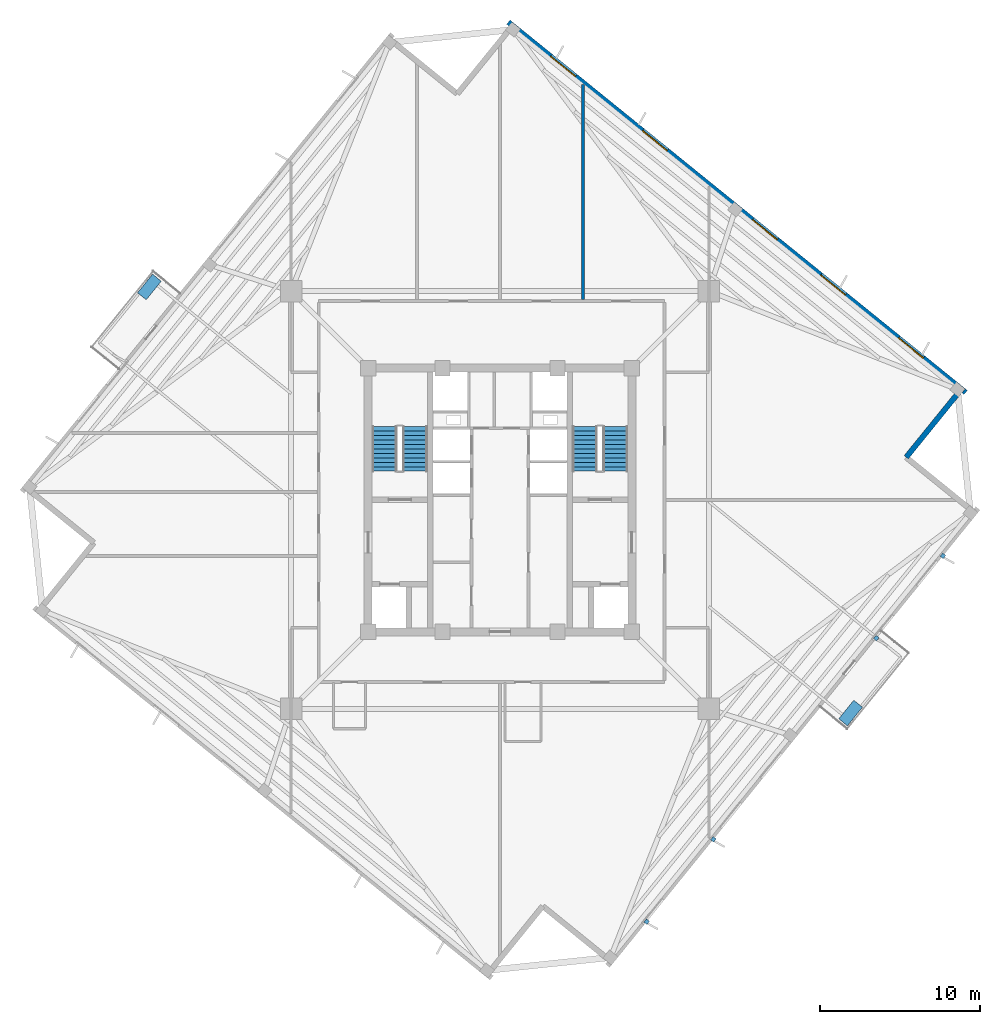
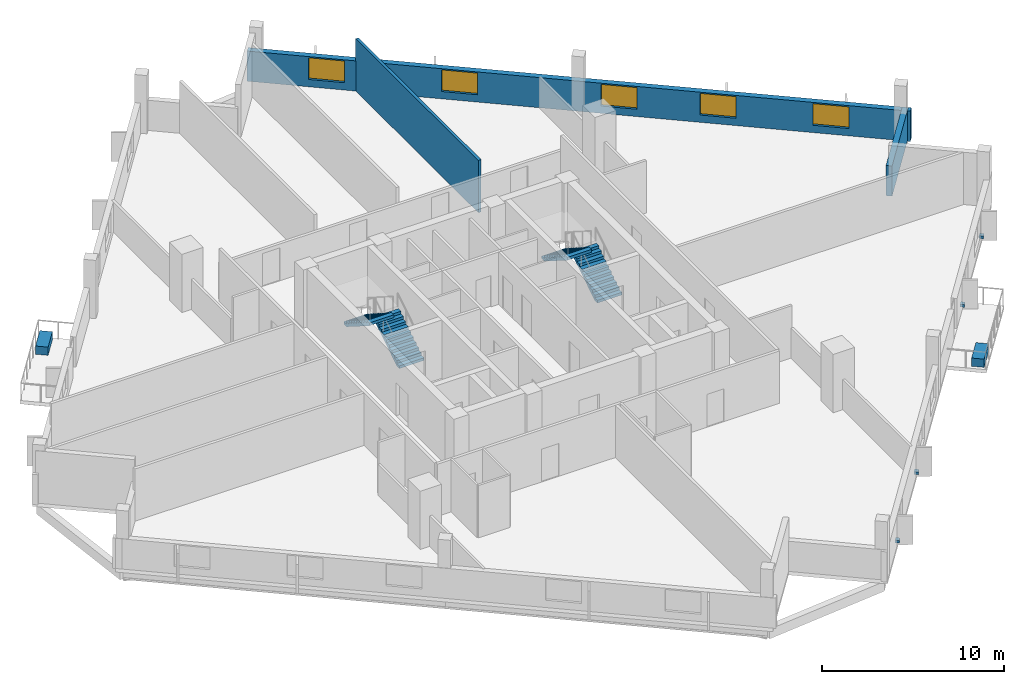
# One storey, part 5 of 9: 6 discrete accessories, 5 windows, 4 stair flights, 3 walls, 5 openings, 2 elements without a shape of their own.
"""IFC4 building model written with IfcOpenShell, lengths in metres."""

from ifc_helpers import new_model, si_unit, direction, frame, frame_2d, origin, origin_2d, place, context, subcontext, project, spatial, polyline, rectangle, outline, extrude, source, transform, mapped, material, layer, layer_set, type_object, element, fill, aggregate, save


model = new_model("IFC4")

# Units and contexts
model_context = context("Model", 3, precision=1e-05, world=origin(), true_north=direction((0.0, 1.0)))
body_context = subcontext(model_context, "Body", "Model", "MODEL_VIEW")
ifc_project = project(units=[si_unit("LENGTHUNIT", "METRE"), si_unit("AREAUNIT", "SQUARE_METRE"), si_unit("VOLUMEUNIT", "CUBIC_METRE"), si_unit("PLANEANGLEUNIT", "RADIAN"), si_unit("MASSUNIT", "GRAM", prefix="KILO"), si_unit("THERMODYNAMICTEMPERATUREUNIT", "KELVIN")], contexts=[model_context])

# Site, building, storey
site_placement = place(None, origin())
site = spatial("IfcSite", under=ifc_project, at=site_placement, CompositionType="ELEMENT")
building_placement = place(site_placement, origin())
building = spatial("IfcBuilding", under=site, at=building_placement, Name="Kosmvard Interchange Tower", CompositionType="ELEMENT")
storey_placement = place(building_placement, frame((0.0, 0.0, 256.300048828125)))
storey = spatial("IfcBuildingStorey", under=building, at=storey_placement, Name="L62", CompositionType="ELEMENT", Elevation=256.300048828125)

# Walls
ifc_material_1 = material(Name="Fire-rated gypsum partition system")
ifc_layer_1 = layer(ifc_material_1, 0.179931640625, Name="Fire-rated gypsum partition system")
ifc_layer_set_1 = layer_set([ifc_layer_1], Name="Fire-rated gypsum partition system")
wall_type_1 = type_object("IfcWallType", Name="Corridor & Hotel Compartment Partition 180", PredefinedType="PARTITIONING", material=ifc_layer_set_1)
wall_1_placement = place(storey_placement, frame((5.199951171875, 12.544921875, 0.0), z_axis=(0.0, 0.0, 1.0), x_axis=(0.0, 1.0, 0.0)))
element("IfcWall", 1, at=wall_1_placement, inside=storey, type_object=wall_type_1, Name="L62 Room Partition 03.1", PredefinedType="PARTITIONING", context=body_context, shape_type="SweptSolid", body=[
    extrude(rectangle(XDim=13.450927734375, YDim=0.179931640625, at=frame_2d((6.7255859375, 0.0))), origin(), (0.0, 0.0, 1.0), 3.5),
])
ifc_material_2 = material(Name="Precast concrete C45/55", Category="concrete")
ifc_layer_2 = layer(ifc_material_2, 0.340087890625, Name="Precast concrete C45/55")
ifc_layer_set_2 = layer_set([ifc_layer_2], Name="Precast concrete C45/55")
wall_type_2 = type_object("IfcWallType", Name="Mid Tower Precast Pier Wall 340 C45/55", PredefinedType="STANDARD", material=ifc_layer_set_2)
wall_2_placement = place(storey_placement, frame((25.428955078125, 2.672607421875, 0.0), z_axis=(0.0, 0.0, 1.0), x_axis=(0.629299794138, 0.777162640055, 0.0)))
element("IfcWall", 2, at=wall_2_placement, inside=storey, type_object=wall_type_2, Name="L62 Precast Facade Wall N-SE2", PredefinedType="STANDARD", context=body_context, shape_type="SweptSolid", body=[
    extrude(rectangle(XDim=5.669921875, YDim=0.340087890625, at=frame_2d((2.8349609375, 0.0))), origin(), (0.0, 0.0, 1.0), 2.02001953125),
])

# Wall, openings, windows
wall_3_placement = place(storey_placement, frame((29.154296875, 6.73291015625, 0.0), z_axis=(0.0, 0.0, 1.0), x_axis=(-0.77714192302, 0.629325378072, 0.0)))
wall_3 = element("IfcWall", 3, at=wall_3_placement, inside=storey, type_object=wall_type_2, Name="L62 Precast Facade Wall F-E", PredefinedType="STANDARD", context=body_context, shape_type="SweptSolid", body=[
    extrude(rectangle(XDim=36.840087890625, YDim=0.340087890625, at=frame_2d((18.419921875, 0.0))), origin(), (0.0, 0.0, 1.0), 2.02001953125),
])
opening_1_placement = place(wall_3_placement, frame((3.4208984375, 0.0, 0.489990234375)))
opening_1 = element("IfcOpeningElement", 4, at=opening_1_placement, cuts=wall_3, Name="Opening L62-W06", PredefinedType="OPENING", context=body_context, shape_type="SweptSolid", body=[
    extrude(rectangle(XDim=2.0, YDim=1.449951171875, at=frame_2d((1.0, 0.72509765625))), frame((0.0, 0.18017578125, 0.0), z_axis=(0.0, -1.0, 0.0), x_axis=(1.0, 0.0, 0.0)), (0.0, 0.0, 1.0), 0.360107421875),
])
opening_2_placement = place(wall_3_placement, frame((9.68359375, 0.0, 0.489990234375)))
opening_2 = element("IfcOpeningElement", 5, at=opening_2_placement, cuts=wall_3, Name="Opening L62-W07", PredefinedType="OPENING", context=body_context, shape_type="SweptSolid", body=[
    extrude(rectangle(XDim=2.0, YDim=1.449951171875, at=frame_2d((1.0, 0.72509765625))), frame((0.0, 0.18017578125, 0.0), z_axis=(0.0, -1.0, 0.0), x_axis=(1.0, 0.0, 0.0)), (0.0, 0.0, 1.0), 0.360107421875),
])
opening_3_placement = place(wall_3_placement, frame((15.18310546875, 0.0, 0.489990234375)))
opening_3 = element("IfcOpeningElement", 6, at=opening_3_placement, cuts=wall_3, Name="Opening L62-W08", PredefinedType="OPENING", context=body_context, shape_type="SweptSolid", body=[
    extrude(rectangle(XDim=2.0, YDim=1.449951171875, at=frame_2d((1.0, 0.72509765625))), frame((0.0, 0.18017578125, 0.0), z_axis=(0.0, -1.0, 0.0), x_axis=(1.0, 0.0, 0.0)), (0.0, 0.0, 1.0), 0.360107421875),
])
opening_4_placement = place(wall_3_placement, frame((24.05126953125, 0.0, 0.489990234375)))
opening_4 = element("IfcOpeningElement", 7, at=opening_4_placement, cuts=wall_3, Name="Opening L62-W09", PredefinedType="OPENING", context=body_context, shape_type="SweptSolid", body=[
    extrude(rectangle(XDim=2.0, YDim=1.449951171875, at=frame_2d((1.0, 0.72509765625))), frame((0.0, 0.18017578125, 0.0), z_axis=(0.0, -1.0, 0.0), x_axis=(1.0, 0.0, 0.0)), (0.0, 0.0, 1.0), 0.360107421875),
])
opening_5_placement = place(wall_3_placement, frame((31.432373046875, 0.0, 0.489990234375)))
opening_5 = element("IfcOpeningElement", 8, at=opening_5_placement, cuts=wall_3, Name="Opening L62-W10", PredefinedType="OPENING", context=body_context, shape_type="SweptSolid", body=[
    extrude(rectangle(XDim=2.0, YDim=1.449951171875, at=frame_2d((1.0, 0.72509765625))), frame((0.0, 0.18017578125, 0.0), z_axis=(0.0, -1.0, 0.0), x_axis=(1.0, 0.0, 0.0)), (0.0, 0.0, 1.0), 0.360107421875),
])
ifc_material_3 = material(Name="Low-E solar-control double glazing", Category="glass")
window_type = type_object("IfcWindowType", Name="Transfer Zone Punched Window 2000x1450", PartitioningType="SINGLE_PANEL", PredefinedType="WINDOW", material=ifc_material_3)
shared_shape_1 = source(origin(), body_context, "Body", "SweptSolid", [
    extrude(rectangle(XDim=2.0, YDim=1.449951171875, at=frame_2d((1.0, 0.72509765625))), frame((0.0, 0.030029296875, 0.0), z_axis=(0.0, -1.0, 0.0), x_axis=(1.0, 0.0, 0.0)), (0.0, 0.0, 1.0), 0.06005859375),
])
window_1_placement = place(opening_1_placement, origin())
window_1 = element("IfcWindow", 9, at=window_1_placement, inside=storey, type_object=window_type, Name="L62 Facade Punched Window 06", OverallHeight=1.449951171875, OverallWidth=2.0, PartitioningType="SINGLE_PANEL", PredefinedType="WINDOW", context=body_context, shape_type="MappedRepresentation", body=[
    mapped(shared_shape_1, transform((0.0, 0.0, 0.0), scale=1.0)),
])
fill(opening_1, window_1)
window_2_placement = place(opening_2_placement, origin())
window_2 = element("IfcWindow", 10, at=window_2_placement, inside=storey, type_object=window_type, Name="L62 Facade Punched Window 07", OverallHeight=1.449951171875, OverallWidth=2.0, PartitioningType="SINGLE_PANEL", PredefinedType="WINDOW", context=body_context, shape_type="MappedRepresentation", body=[
    mapped(shared_shape_1, transform((0.0, 0.0, 0.0), scale=1.0)),
])
fill(opening_2, window_2)
window_3_placement = place(opening_3_placement, origin())
window_3 = element("IfcWindow", 11, at=window_3_placement, inside=storey, type_object=window_type, Name="L62 Facade Punched Window 08", OverallHeight=1.449951171875, OverallWidth=2.0, PartitioningType="SINGLE_PANEL", PredefinedType="WINDOW", context=body_context, shape_type="MappedRepresentation", body=[
    mapped(shared_shape_1, transform((0.0, 0.0, 0.0), scale=1.0)),
])
fill(opening_3, window_3)
window_4_placement = place(opening_4_placement, origin())
window_4 = element("IfcWindow", 12, at=window_4_placement, inside=storey, type_object=window_type, Name="L62 Facade Punched Window 09", OverallHeight=1.449951171875, OverallWidth=2.0, PartitioningType="SINGLE_PANEL", PredefinedType="WINDOW", context=body_context, shape_type="MappedRepresentation", body=[
    mapped(shared_shape_1, transform((0.0, 0.0, 0.0), scale=1.0)),
])
fill(opening_4, window_4)
window_5_placement = place(opening_5_placement, origin())
window_5 = element("IfcWindow", 13, at=window_5_placement, inside=storey, type_object=window_type, Name="L62 Facade Punched Window 10", OverallHeight=1.449951171875, OverallWidth=2.0, PartitioningType="SINGLE_PANEL", PredefinedType="WINDOW", context=body_context, shape_type="MappedRepresentation", body=[
    mapped(shared_shape_1, transform((0.0, 0.0, 0.0), scale=1.0)),
])
fill(opening_5, window_5)

# Stair, stair flights
ifc_material_4 = material(Name="Concrete C50/60", Category="concrete")
stair_type = type_object("IfcStairType", Name="Dog-Leg Core Exit Stair H3900 C50/60", PredefinedType="HALF_TURN_STAIR", material=ifc_material_4)
stair_1_placement = place(storey_placement, origin())
stair_1 = element("IfcStair", 14, at=stair_1_placement, inside=storey, type_object=stair_type, Name="L62 Protected Exit Stair ST-1", PredefinedType="HALF_TURN_STAIR")
stair_flight_type = type_object("IfcStairFlightType", Name="Core Stair Flight W1550 H3900 C50/60", PredefinedType="STRAIGHT", material=ifc_material_4)
shared_shape_2 = source(origin(), body_context, "Body", "SweptSolid", [
    extrude(outline(polyline([(0.0, 0.0), (0.0, 0.17724609375), (0.280029296875, 0.17724609375), (0.280029296875, 0.3544921875), (0.56005859375, 0.3544921875), (0.56005859375, 0.53173828125), (0.840087890625, 0.53173828125), (0.840087890625, 0.708984375), (1.1201171875, 0.708984375), (1.1201171875, 0.886474609375), (1.39990234375, 0.886474609375), (1.39990234375, 1.063720703125), (1.679931640625, 1.063720703125), (1.679931640625, 1.240966796875), (1.9599609375, 1.240966796875), (1.9599609375, 1.418212890625), (2.239990234375, 1.418212890625), (2.239990234375, 1.595458984375), (2.52001953125, 1.595458984375), (2.52001953125, 1.772705078125), (2.800048828125, 1.772705078125), (2.800048828125, 1.949951171875), (2.800048828125, 1.58349609375), (0.298828125, 0.0), (0.0, 0.0)])), frame((0.0, 0.77490234375, 0.0), z_axis=(0.0, -1.0, 0.0), x_axis=(1.0, 0.0, 0.0)), (0.0, 0.0, 1.0), 1.550048828125),
])
stair_flight_1_placement = place(storey_placement, frame((-5.31494140625, 1.800048828125, 0.0), z_axis=(0.0, 0.0, 1.0), x_axis=(0.0, 1.0, 0.0)))
stair_flight_1 = element("IfcStairFlight", 15, at=stair_flight_1_placement, type_object=stair_flight_type, Name="ST-1 flight 1", NumberOfRisers=11, NumberOfTreads=10, PredefinedType="STRAIGHT", RiserHeight=0.177272727, TreadLength=0.28, context=body_context, shape_type="MappedRepresentation", body=[
    mapped(shared_shape_2, transform((0.0, 0.0, 0.0), scale=1.0)),
])
stair_flight_2_placement = place(storey_placement, frame((-7.22509765625, 4.60009765625, 1.949951171875), z_axis=(0.0, 0.0, 1.0), x_axis=(0.0, -1.0, 0.0)))
stair_flight_2 = element("IfcStairFlight", 16, at=stair_flight_2_placement, type_object=stair_flight_type, Name="ST-1 flight 2", NumberOfRisers=11, NumberOfTreads=10, PredefinedType="STRAIGHT", RiserHeight=0.177272727, TreadLength=0.28, context=body_context, shape_type="MappedRepresentation", body=[
    mapped(shared_shape_2, transform((0.0, 0.0, 0.0), scale=1.0)),
])
aggregate(stair_1, [stair_flight_1, stair_flight_2])

stair_2_placement = place(storey_placement, origin())
stair_2 = element("IfcStair", 17, at=stair_2_placement, inside=storey, type_object=stair_type, Name="L62 Protected Exit Stair ST-2", PredefinedType="HALF_TURN_STAIR")
stair_flight_3_placement = place(storey_placement, frame((7.22509765625, 1.800048828125, 0.0), z_axis=(0.0, 0.0, 1.0), x_axis=(0.0, 1.0, 0.0)))
stair_flight_3 = element("IfcStairFlight", 18, at=stair_flight_3_placement, type_object=stair_flight_type, Name="ST-2 flight 1", NumberOfRisers=11, NumberOfTreads=10, PredefinedType="STRAIGHT", RiserHeight=0.177272727, TreadLength=0.28, context=body_context, shape_type="MappedRepresentation", body=[
    mapped(shared_shape_2, transform((0.0, 0.0, 0.0), scale=1.0)),
])
stair_flight_4_placement = place(storey_placement, frame((5.31494140625, 4.60009765625, 1.949951171875), z_axis=(0.0, 0.0, 1.0), x_axis=(0.0, -1.0, 0.0)))
stair_flight_4 = element("IfcStairFlight", 19, at=stair_flight_4_placement, type_object=stair_flight_type, Name="ST-2 flight 2", NumberOfRisers=11, NumberOfTreads=10, PredefinedType="STRAIGHT", RiserHeight=0.177272727, TreadLength=0.28, context=body_context, shape_type="MappedRepresentation", body=[
    mapped(shared_shape_2, transform((0.0, 0.0, 0.0), scale=1.0)),
])
aggregate(stair_2, [stair_flight_3, stair_flight_4])

# Discrete accessories
ifc_material_5 = material(Name="Terracotta precast planter concrete C45/55", Category="masonry")
discrete_accessory_type_1 = type_object("IfcDiscreteAccessoryType", Name="Precast Tree-Balcony & Terrace Planter Box", PredefinedType="USERDEFINED", material=ifc_material_5)
shared_shape_3 = source(origin(), body_context, "Body", "SweptSolid", [
    extrude(rectangle(XDim=1.5, YDim=0.699951171875, at=origin_2d()), origin(), (0.0, 0.0, 1.0), 0.550048828125),
])
for number, where, z_axis, x_axis, name in (
    (20, (21.949462890625, -13.3349609375, 0.0), (0.0, 0.0, 1.0), (0.62932039105, 0.777145961457, 0.0), "L62 Balcony Tree Planter BAL-L62-SW"),
    (21, (-21.949462890625, 13.3349609375, 0.0), (0.0, 0.0, 1.0), (0.62932039105, 0.777145961457, 0.0), "L62 Balcony Tree Planter BAL-L62-NE"),
):
    element("IfcDiscreteAccessory", number, at=place(storey_placement, frame(where, z_axis=z_axis, x_axis=x_axis)), inside=storey, type_object=discrete_accessory_type_1, Name=name, ObjectType="PLANTER", PredefinedType="USERDEFINED", context=body_context, shape_type="MappedRepresentation", body=[
        mapped(shared_shape_3, transform((0.0, 0.0, 0.0), scale=1.0)),
    ])
ifc_material_6 = material(Name="Steel S355", Category="steel")
discrete_accessory_type_2 = type_object("IfcDiscreteAccessoryType", Name="Facade Fin Structural Cleat Bracket", PredefinedType="BRACKET", material=ifc_material_6)
shared_shape_4 = source(origin(), body_context, "Body", "SweptSolid", [
    extrude(rectangle(XDim=0.239990234375, YDim=0.260009765625, at=origin_2d()), origin(), (0.0, 0.0, 1.0), 0.179931640625),
])
for number, where, z_axis, x_axis, name in (
    (22, (9.18359375, -26.3984375, 0.16015625), (0.0, 0.0, 1.0), (0.777146167973, -0.629320136024, 0.0), "L62 Sun-Breaker Anchor Bracket 01"),
    (23, (13.356689453125, -21.244873046875, 0.16015625), (0.0, 0.0, 1.0), (0.777146167973, -0.629320136024, 0.0), "L62 Sun-Breaker Anchor Bracket 02"),
    (24, (23.5576171875, -8.647705078125, 0.16015625), (0.0, 0.0, 1.0), (0.777146167973, -0.629320136024, 0.0), "L62 Sun-Breaker Anchor Bracket 03"),
    (25, (27.73095703125, -3.494384765625, 0.16015625), (0.0, 0.0, 1.0), (0.777146167973, -0.629320136024, 0.0), "L62 Sun-Breaker Anchor Bracket 04"),
):
    element("IfcDiscreteAccessory", number, at=place(storey_placement, frame(where, z_axis=z_axis, x_axis=x_axis)), inside=storey, type_object=discrete_accessory_type_2, Name=name, PredefinedType="BRACKET", context=body_context, shape_type="MappedRepresentation", body=[
        mapped(shared_shape_4, transform((0.0, 0.0, 0.0), scale=1.0)),
    ])

save(model, "model.ifc")
